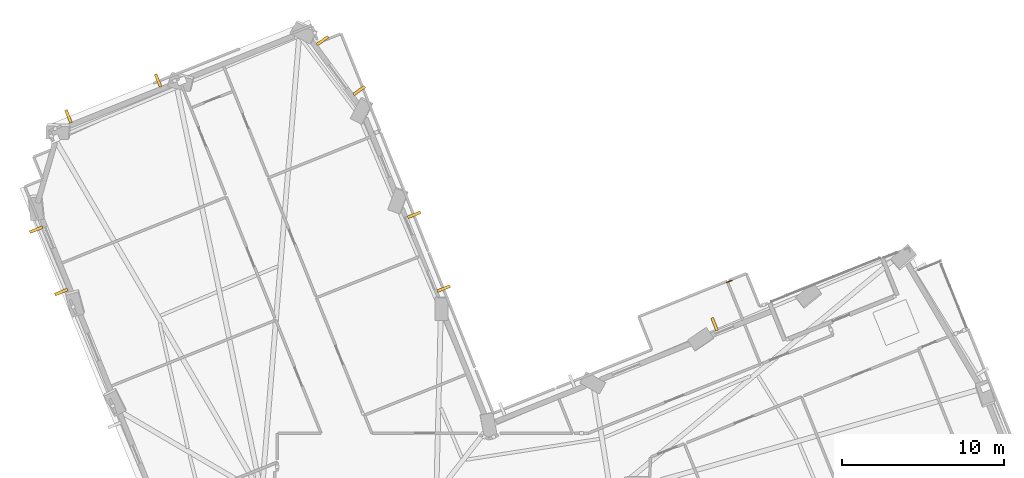
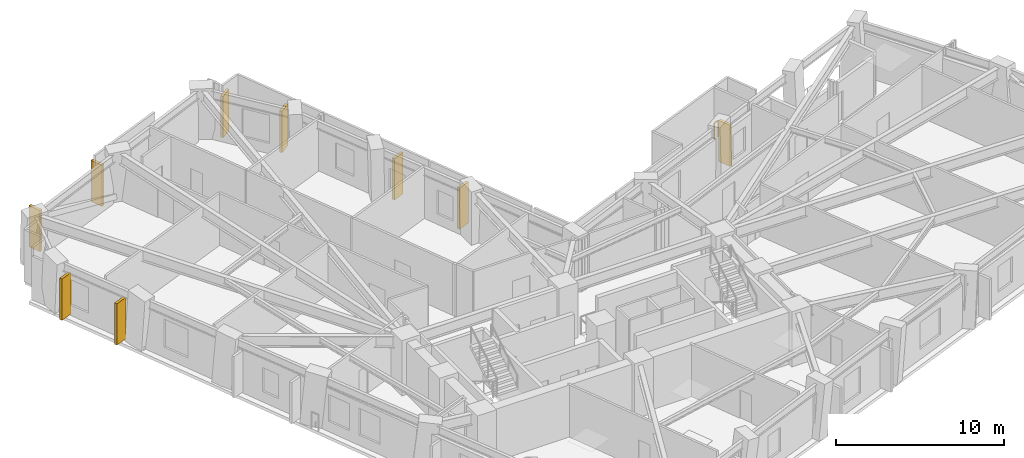
# One storey, part 15 of 16: 9 shading devices, 1 railing.
"""IFC4 building model written with IfcOpenShell, lengths in metres."""

from ifc_helpers import new_model, si_unit, direction, frame, origin, origin_2d, place, context, subcontext, project, spatial, rectangle, circle, extrude, material, layer, layer_set, type_object, element, save


model = new_model("IFC4")

# Units and contexts
model_context = context("Model", 3, precision=1e-05, world=origin(), true_north=direction((0.0, 1.0)))
body_context = subcontext(model_context, "Body", "Model", "MODEL_VIEW")
ifc_project = project(units=[si_unit("LENGTHUNIT", "METRE"), si_unit("AREAUNIT", "SQUARE_METRE"), si_unit("VOLUMEUNIT", "CUBIC_METRE"), si_unit("PLANEANGLEUNIT", "RADIAN"), si_unit("MASSUNIT", "GRAM", prefix="KILO")], contexts=[model_context])

# Site, building, storey
site_placement = place(None, origin())
site = spatial("IfcSite", under=ifc_project, at=site_placement, CompositionType="ELEMENT")
building_placement = place(site_placement, origin())
building = spatial("IfcBuilding", under=site, at=building_placement, Name="Gaonmaruhae Medical Tower", CompositionType="ELEMENT")
storey_placement = place(building_placement, frame((0.0, 0.0, 116.39990234375)))
storey = spatial("IfcBuildingStorey", under=building, at=storey_placement, Name="L27", CompositionType="ELEMENT", Elevation=116.39990234375)

# Railing
ifc_material_1 = material(Name="Stainless steel 316L and laminated safety glass", Category="steel")
ifc_layer = layer(ifc_material_1, 0.080078125)
ifc_layer_set = layer_set([ifc_layer], Name="Stainless steel 316L and laminated safety glass")
railing_type = type_object("IfcRailingType", Name="GD-120 Outdoor Terrace Safety Glass & Steel Balustrade", PredefinedType="BALUSTRADE", material=ifc_layer_set)
railing_placement = place(storey_placement, frame((42.76708984375, 29.90869140625, 0.0)))
element("IfcRailing", 1, at=railing_placement, inside=storey, type_object=railing_type, Name="L27 Perimeter Slab Edge Safety Balustrade 08", PredefinedType="BALUSTRADE", context=body_context, shape_type="SweptSolid", body=[
    extrude(circle(Radius=0.02392578125, at=origin_2d()), frame((0.0, 0.0, 1.17578125), z_axis=(0.928030532622, 0.372504134904, 0.0), x_axis=(-0.372504134904, 0.928030532622, 0.0)), (0.0, 0.0, 1.0), 0.340087890625),
    extrude(circle(Radius=0.02099609375, at=origin_2d()), origin(), (0.0, 0.0, 1.0), 1.15185546875),
    extrude(circle(Radius=0.02099609375, at=origin_2d()), frame((0.315673828125, 0.126708984375, 0.0)), (0.0, 0.0, 1.0), 1.15185546875),
])

# Shading devices
ifc_material_2 = material(Name="Pigmented coral precast concrete C45/55", Category="concrete")
shading_device_type = type_object("IfcShadingDeviceType", Name="SD-FIN1 Tower Vertical Coral Precast Shading Fin", PredefinedType="USERDEFINED", material=ifc_material_2)
for number, where, z_axis, x_axis, name in (
    (2, (42.01611328125, 27.3291015625, 0.072509765625), (0.0, 0.0, 1.0), (0.928161393808, 0.372177950778, 0.0), "L27 Vertical Coral Precast Shading Fin EN01"),
    (3, (23.42578125, 34.09228515625, 0.08251953125), (0.0, 0.0, 1.0), (0.372161751249, -0.928167889397, 0.0), "L27 Vertical Coral Precast Shading Fin NE01"),
    (4, (25.2578125, 29.523193359375, 0.08251953125), (0.0, 0.0, 1.0), (0.372161751249, -0.928167889397, 0.0), "L27 Vertical Coral Precast Shading Fin NE01B"),
    (5, (17.76708984375, 44.865478515625, 0.08251953125), (0.0, 0.0, 1.0), (0.591056267143, -0.806630329873, 0.0), "L27 Vertical Coral Precast Shading Fin NE03"),
    (6, (20.0302734375, 41.77734375, 0.08251953125), (0.0, 0.0, 1.0), (0.591056267143, -0.806630329873, 0.0), "L27 Vertical Coral Precast Shading Fin NE03B"),
    (7, (2.052978515625, 40.1787109375, 0.08251953125), (0.0, 0.0, 1.0), (0.928161393808, 0.372177950778, 0.0), "L27 Vertical Coral Precast Shading Fin N02"),
    (8, (7.59423828125, 42.400634765625, 0.08251953125), (0.0, 0.0, 1.0), (0.928161393808, 0.372177950778, 0.0), "L27 Vertical Coral Precast Shading Fin N02B"),
    (9, (1.604736328125, 29.318603515625, 0.08251953125), (0.0, 0.0, 1.0), (-0.372161751249, 0.928167889397, 0.0), "L27 Vertical Coral Precast Shading Fin W01"),
    (10, (0.05810546875, 33.175537109375, 0.08251953125), (0.0, 0.0, 1.0), (-0.372161751249, 0.928167889397, 0.0), "L27 Vertical Coral Precast Shading Fin W01B"),
):
    element("IfcShadingDevice", number, at=place(storey_placement, frame(where, z_axis=z_axis, x_axis=x_axis)), inside=storey, type_object=shading_device_type, Name=name, ObjectType="FIN", PredefinedType="USERDEFINED", context=body_context, shape_type="SweptSolid", body=[
        extrude(rectangle(XDim=0.179931640625, YDim=0.85009765625, at=origin_2d()), origin(), (0.0, 0.0, 1.0), 3.0),
    ])

save(model, "model.ifc")
